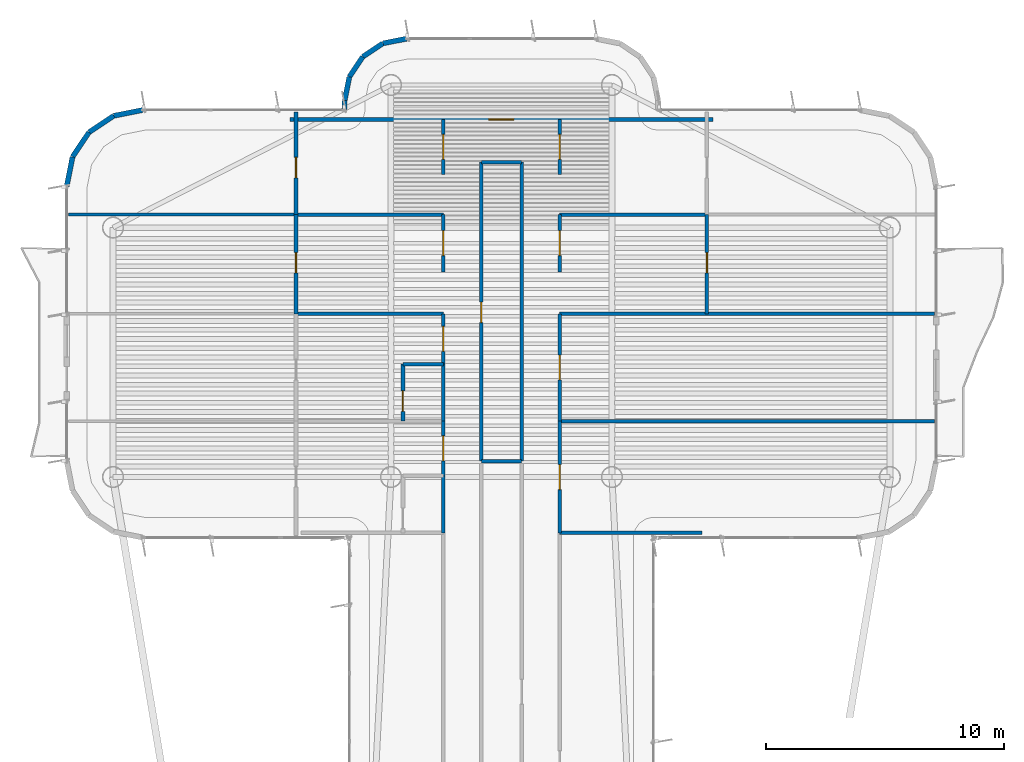
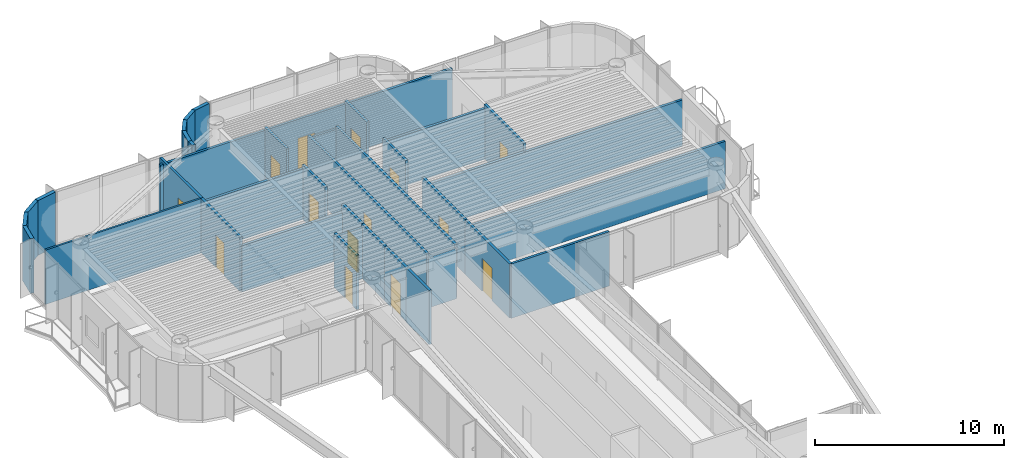
# One storey, part 12 of 15: 36 walls, 14 doors, 14 openings.
"""IFC4 building model written with IfcOpenShell, lengths in metres."""

from ifc_helpers import new_model, si_unit, direction, frame, frame_2d, origin, origin_2d, place, context, subcontext, project, spatial, rectangle, extrude, source, transform, mapped, material, layer, layer_set, type_object, element, fill, save


model = new_model("IFC4")

# Units and contexts
model_context = context("Model", 3, precision=1e-05, world=origin(), true_north=direction((0.0, 1.0)))
body_context = subcontext(model_context, "Body", "Model", "MODEL_VIEW")
ifc_project = project(units=[si_unit("LENGTHUNIT", "METRE"), si_unit("AREAUNIT", "SQUARE_METRE"), si_unit("VOLUMEUNIT", "CUBIC_METRE"), si_unit("PLANEANGLEUNIT", "RADIAN"), si_unit("MASSUNIT", "GRAM", prefix="KILO")], contexts=[model_context])

# Site, building, storey
site_placement = place(None, origin())
site = spatial("IfcSite", under=ifc_project, at=site_placement, CompositionType="ELEMENT")
building_placement = place(site_placement, origin())
building = spatial("IfcBuilding", under=site, at=building_placement, Name="Brelvock Crest Care Tower", CompositionType="ELEMENT")
storey_placement = place(building_placement, frame((0.0, 0.0, 264.60009765625)))
storey = spatial("IfcBuildingStorey", under=building, at=storey_placement, Name="L67", CompositionType="ELEMENT", Elevation=264.60009765625)

# Walls
ifc_material_1 = material(Name="Precast concrete N40 (40 MPa)", Category="concrete")
ifc_layer_1 = layer(ifc_material_1, 0.215087890625, Name="WL-EX2")
ifc_layer_set_1 = layer_set([ifc_layer_1], Name="Precast concrete N40 (40 MPa)")
wall_type_1 = type_object("IfcWallType", Name="WL-EX2", PredefinedType="SOLIDWALL", material=ifc_layer_set_1)
for number, where, z_axis, x_axis, name in (
    (1, (17.699951171875, 56.199951171875, 0.0), (0.0, 0.0, 1.0), (0.195138390419, 0.980775717779, 0.0), "L67 Rounded Corner Wall 18"),
    (2, (17.943603515625, 57.424560546875, 0.0), (0.0, 0.0, 1.0), (0.555557312883, 0.831478245117, 0.0), "L67 Rounded Corner Wall 19"),
    (3, (18.63720703125, 58.462646484375, 0.0), (0.0, 0.0, 1.0), (0.831387912822, 0.555692485475, 0.0), "L67 Rounded Corner Wall 20"),
    (4, (19.67529296875, 59.156494140625, 0.0), (0.0, 0.0, 1.0), (0.980813122964, 0.194950295773, 0.0), "L67 Rounded Corner Wall 21"),
):
    element("IfcWall", number, at=place(storey_placement, frame(where, z_axis=z_axis, x_axis=x_axis)), inside=storey, type_object=wall_type_1, Name=name, PredefinedType="SOLIDWALL", context=body_context, shape_type="SweptSolid", body=[
        extrude(rectangle(XDim=1.24853515625, YDim=0.215087890625, at=frame_2d((0.624267578125, 0.0))), origin(), (0.0, 0.0, 1.0), 3.52978515625),
    ])
wall_1_placement = place(storey_placement, frame((29.39990234375, 59.39990234375, 0.0), z_axis=(0.0, 0.0, 1.0), x_axis=(0.0, 1.0, 0.0)))
element("IfcWall", 5, at=wall_1_placement, inside=storey, type_object=wall_type_1, Name="L67 Rounded Corner Wall 23", PredefinedType="SOLIDWALL", context=body_context, shape_type="SweptSolid", body=[
    extrude(rectangle(XDim=0.400146484375, YDim=0.215087890625, at=frame_2d((0.2001953125, 0.0))), origin(), (0.0, 0.0, 1.0), 3.52978515625),
])
wall_2_placement = place(storey_placement, frame((29.39990234375, 59.800048828125, 0.0), z_axis=(0.0, 0.0, 1.0), x_axis=(0.195190360752, 0.980765376158, 0.0)))
element("IfcWall", 6, at=wall_2_placement, inside=storey, type_object=wall_type_1, Name="L67 Rounded Corner Wall 24", PredefinedType="SOLIDWALL", context=body_context, shape_type="SweptSolid", body=[
    extrude(rectangle(XDim=1.014404296875, YDim=0.215087890625, at=frame_2d((0.50732421875, 0.0))), origin(), (0.0, 0.0, 1.0), 3.52978515625),
])
wall_3_placement = place(storey_placement, frame((29.597900390625, 60.794921875, 0.0), z_axis=(0.0, 0.0, 1.0), x_axis=(0.555643898837, 0.831420385657, 0.0)))
element("IfcWall", 7, at=wall_3_placement, inside=storey, type_object=wall_type_1, Name="L67 Rounded Corner Wall 25", PredefinedType="SOLIDWALL", context=body_context, shape_type="SweptSolid", body=[
    extrude(rectangle(XDim=1.0146484375, YDim=0.215087890625, at=frame_2d((0.50732421875, 0.0))), origin(), (0.0, 0.0, 1.0), 3.52978515625),
])
wall_4_placement = place(storey_placement, frame((30.16162109375, 61.638427734375, 0.0), z_axis=(0.0, 0.0, 1.0), x_axis=(0.831346067305, 0.555755086685, 0.0)))
element("IfcWall", 8, at=wall_4_placement, inside=storey, type_object=wall_type_1, Name="L67 Rounded Corner Wall 26", PredefinedType="SOLIDWALL", context=body_context, shape_type="SweptSolid", body=[
    extrude(rectangle(XDim=1.014404296875, YDim=0.215087890625, at=frame_2d((0.50732421875, 0.0))), origin(), (0.0, 0.0, 1.0), 3.52978515625),
])
wall_5_placement = place(storey_placement, frame((31.0048828125, 62.2021484375, 0.0), z_axis=(0.0, 0.0, 1.0), x_axis=(0.980820570666, 0.194912821943, 0.0)))
element("IfcWall", 9, at=wall_5_placement, inside=storey, type_object=wall_type_1, Name="L67 Rounded Corner Wall 27", PredefinedType="SOLIDWALL", context=body_context, shape_type="SweptSolid", body=[
    extrude(rectangle(XDim=1.0146484375, YDim=0.215087890625, at=frame_2d((0.50732421875, 0.0))), origin(), (0.0, 0.0, 1.0), 3.52978515625),
])
ifc_material_2 = material(Name="Masonry Blockwork Acoustic Partition", Category="masonry")
ifc_layer_2 = layer(ifc_material_2, 0.14990234375, Name="WL-INT1")
ifc_layer_set_2 = layer_set([ifc_layer_2], Name="Masonry Blockwork Acoustic Partition")
wall_type_2 = type_object("IfcWallType", Name="WL-INT1", PredefinedType="PARTITIONING", material=ifc_layer_set_2)
wall_6_placement = place(storey_placement, frame((38.449951171875, 41.60009765625, 0.0), z_axis=(0.0, 0.0, 1.0), x_axis=(1.0, 0.0, 0.0)))
element("IfcWall", 10, at=wall_6_placement, inside=storey, type_object=wall_type_2, Name="L67 Interior Wall WL-BX-L67-ESW1-S", PredefinedType="PARTITIONING", context=body_context, shape_type="SweptSolid", body=[
    extrude(rectangle(XDim=5.993408203125, YDim=0.14990234375, at=frame_2d((2.99658203125, 0.0))), origin(), (0.0, 0.0, 1.0), 3.5),
])
wall_7_placement = place(storey_placement, frame((35.14990234375, 44.6201171875, 0.0), z_axis=(0.0, 0.0, 1.0), x_axis=(1.0, 0.0, 0.0)))
element("IfcWall", 11, at=wall_7_placement, inside=storey, type_object=wall_type_2, Name="L67 Interior Wall WL-BX-L67-ISKT-S", PredefinedType="PARTITIONING", context=body_context, shape_type="SweptSolid", body=[
    extrude(rectangle(XDim=1.7001953125, YDim=0.14990234375, at=frame_2d((0.85009765625, 0.0))), origin(), (0.0, 0.0, 1.0), 3.2587890625),
])
wall_8_placement = place(storey_placement, frame((38.449951171875, 46.298095703125, 0.0), z_axis=(0.0, 0.0, 1.0), x_axis=(1.0, 0.0, 0.0)))
element("IfcWall", 12, at=wall_8_placement, inside=storey, type_object=wall_type_2, Name="L67 Interior Wall WL-BX-L67-ESW1-N", PredefinedType="PARTITIONING", context=body_context, shape_type="SweptSolid", body=[
    extrude(rectangle(XDim=15.77001953125, YDim=0.14990234375, at=frame_2d((7.885009765625, 0.0))), origin(), (0.0, 0.0, 1.0), 3.054931640625),
])
wall_9_placement = place(storey_placement, frame((27.35009765625, 50.822021484375, 0.0), z_axis=(0.0, 0.0, 1.0), x_axis=(1.0, 0.0, 0.0)))
element("IfcWall", 13, at=wall_9_placement, inside=storey, type_object=wall_type_2, Name="L67 Interior Wall WL-BX-L67-CS-WS2-N", PredefinedType="PARTITIONING", context=body_context, shape_type="SweptSolid", body=[
    extrude(rectangle(XDim=6.199951171875, YDim=0.14990234375, at=frame_2d((3.10009765625, 0.0))), origin(), (0.0, 0.0, 1.0), 2.98193359375),
])
wall_10_placement = place(storey_placement, frame((38.449951171875, 50.822021484375, 0.0), z_axis=(0.0, 0.0, 1.0), x_axis=(1.0, 0.0, 0.0)))
element("IfcWall", 14, at=wall_10_placement, inside=storey, type_object=wall_type_2, Name="L67 Interior Wall WL-BX-L67-ESW2-N", PredefinedType="PARTITIONING", context=body_context, shape_type="SweptSolid", body=[
    extrude(rectangle(XDim=15.77001953125, YDim=0.14990234375, at=frame_2d((7.885009765625, 0.0))), origin(), (0.0, 0.0, 1.0), 2.98193359375),
])
for number, where, z_axis, x_axis, name in (
    (15, (27.35009765625, 54.998046875, 0.0), (0.0, 0.0, 1.0), (1.0, 0.0, 0.0), "L67 Interior Wall WL-BX-L67-CS-WS3-N"),
    (16, (38.449951171875, 54.998046875, 0.0), (0.0, 0.0, 1.0), (1.0, 0.0, 0.0), "L67 Interior Wall WL-BX-L67-CS-ES3-N"),
):
    element("IfcWall", number, at=place(storey_placement, frame(where, z_axis=z_axis, x_axis=x_axis)), inside=storey, type_object=wall_type_2, Name=name, PredefinedType="PARTITIONING", context=body_context, shape_type="SweptSolid", body=[
        extrude(rectangle(XDim=6.199951171875, YDim=0.14990234375, at=frame_2d((3.10009765625, 0.0))), origin(), (0.0, 0.0, 1.0), 3.2587890625),
    ])
wall_11_placement = place(storey_placement, frame((35.14990234375, 57.199951171875, 0.0), z_axis=(0.0, 0.0, 1.0), x_axis=(1.0, 0.0, 0.0)))
element("IfcWall", 17, at=wall_11_placement, inside=storey, type_object=wall_type_2, Name="L67 Interior Wall WL-BX-L67-ISKT-N", PredefinedType="PARTITIONING", context=body_context, shape_type="SweptSolid", body=[
    extrude(rectangle(XDim=1.7001953125, YDim=0.14990234375, at=frame_2d((0.85009765625, 0.0))), origin(), (0.0, 0.0, 1.0), 3.307861328125),
])

# Wall, opening, door
wall_12_placement = place(storey_placement, frame((27.10009765625, 59.0, 0.0), z_axis=(0.0, 0.0, 1.0), x_axis=(1.0, 0.0, 0.0)))
wall_12 = element("IfcWall", 18, at=wall_12_placement, inside=storey, type_object=wall_type_2, Name="L67 Interior Wall WL-RM-L67-NHUB", PredefinedType="PARTITIONING", context=body_context, shape_type="SweptSolid", body=[
    extrude(rectangle(XDim=17.7998046875, YDim=0.14990234375, at=frame_2d((8.89990234375, 0.0))), origin(), (0.0, 0.0, 1.0), 3.307861328125),
])
opening_1_placement = place(wall_12_placement, frame((8.375, 0.0, 0.0)))
opening_1 = element("IfcOpeningElement", 19, at=opening_1_placement, cuts=wall_12, Name="Opening CLD-1", PredefinedType="OPENING", context=body_context, shape_type="SweptSolid", body=[
    extrude(rectangle(XDim=1.050048828125, YDim=2.10009765625, at=origin_2d()), frame((0.52490234375, 0.0849609375, 1.050048828125), z_axis=(0.0, -1.0, 0.0), x_axis=(1.0, 0.0, 0.0)), (0.0, 0.0, 1.0), 0.169921875),
])
ifc_material_3 = material(Name="Engineered Hardwood Timber", Category="wood")
door_type_1 = type_object("IfcDoorType", Name="DR-CLN1", OperationType="NOTDEFINED", PredefinedType="DOOR", material=ifc_material_3)
shared_shape_1 = source(origin(), body_context, "Body", "SweptSolid", [
    extrude(rectangle(XDim=1.050048828125, YDim=2.10009765625, at=origin_2d()), frame((0.52490234375, 0.02490234375, 1.050048828125), z_axis=(0.0, -1.0, 0.0), x_axis=(1.0, 0.0, 0.0)), (0.0, 0.0, 1.0), 0.050048828125),
])
door_1_placement = place(opening_1_placement, origin())
door_1 = element("IfcDoor", 20, at=door_1_placement, inside=storey, type_object=door_type_1, Name="L67 North Crest Conservatory Lounge Door NHUB", OperationType="SINGLE_SWING_LEFT", OverallHeight=2.10009765625, OverallWidth=1.050048828125, PredefinedType="DOOR", context=body_context, shape_type="MappedRepresentation", body=[
    mapped(shared_shape_1, transform((0.0, 0.0, 0.0), x_axis=(1.0, 0.0, 0.0), y_axis=(0.0, 1.0, 0.0), z_axis=(0.0, 0.0, 1.0), scale=1.0)),
])
fill(opening_1, door_1)

wall_13_placement = place(storey_placement, frame((27.35009765625, 50.822021484375, 0.0), z_axis=(0.0, 0.0, 1.0), x_axis=(0.0, 1.0, 0.0)))
wall_13 = element("IfcWall", 21, at=wall_13_placement, inside=storey, type_object=wall_type_2, Name="L67 Interior Wall WL-RM-L67-WS3S", PredefinedType="PARTITIONING", context=body_context, shape_type="SweptSolid", body=[
    extrude(rectangle(XDim=4.176025390625, YDim=0.14990234375, at=frame_2d((2.087890625, 0.0))), origin(), (0.0, 0.0, 1.0), 3.5),
])
opening_2_placement = place(wall_13_placement, frame((1.718017578125, 0.0, 0.0)))
opening_2 = element("IfcOpeningElement", 22, at=opening_2_placement, cuts=wall_13, Name="Opening ID-1", PredefinedType="OPENING", context=body_context, shape_type="SweptSolid", body=[
    extrude(rectangle(XDim=0.860107421875, YDim=2.10009765625, at=origin_2d()), frame((0.43017578125, 0.0849609375, 1.050048828125), z_axis=(0.0, -1.0, 0.0), x_axis=(1.0, 0.0, 0.0)), (0.0, 0.0, 1.0), 0.169921875),
])
door_type_2 = type_object("IfcDoorType", Name="DR-INT1", OperationType="NOTDEFINED", PredefinedType="DOOR", material=ifc_material_3)
shared_shape_2 = source(origin(), body_context, "Body", "SweptSolid", [
    extrude(rectangle(XDim=0.860107421875, YDim=2.10009765625, at=origin_2d()), frame((0.43017578125, 0.02490234375, 1.050048828125), z_axis=(0.0, -1.0, 0.0), x_axis=(1.0, 0.0, 0.0)), (0.0, 0.0, 1.0), 0.050048828125),
])
door_2_placement = place(opening_2_placement, origin())
door_2 = element("IfcDoor", 23, at=door_2_placement, inside=storey, type_object=door_type_2, Name="L67 Skilled Nursing Mobility Store Door WS3S", OperationType="SINGLE_SWING_LEFT", OverallHeight=2.10009765625, OverallWidth=0.860107421875, PredefinedType="DOOR", context=body_context, shape_type="MappedRepresentation", body=[
    mapped(shared_shape_2, transform((0.0, 0.0, 0.0), x_axis=(1.0, 0.0, 0.0), y_axis=(0.0, 1.0, 0.0), z_axis=(0.0, 0.0, 1.0), scale=1.0)),
])
fill(opening_2, door_2)

wall_14_placement = place(storey_placement, frame((27.35009765625, 54.998046875, 0.0), z_axis=(0.0, 0.0, 1.0), x_axis=(0.0, 1.0, 0.0)))
wall_14 = element("IfcWall", 24, at=wall_14_placement, inside=storey, type_object=wall_type_2, Name="L67 Interior Wall WL-RM-L67-WS4S", PredefinedType="PARTITIONING", context=body_context, shape_type="SweptSolid", body=[
    extrude(rectangle(XDim=4.324462890625, YDim=0.14990234375, at=frame_2d((2.162109375, 0.0))), origin(), (0.0, 0.0, 1.0), 3.5),
])
opening_3_placement = place(wall_14_placement, frame((1.5419921875, 0.0, 0.0)))
opening_3 = element("IfcOpeningElement", 25, at=opening_3_placement, cuts=wall_14, Name="Opening ID-1", PredefinedType="OPENING", context=body_context, shape_type="SweptSolid", body=[
    extrude(rectangle(XDim=0.860107421875, YDim=2.10009765625, at=origin_2d()), frame((0.43017578125, 0.0849609375, 1.050048828125), z_axis=(0.0, -1.0, 0.0), x_axis=(1.0, 0.0, 0.0)), (0.0, 0.0, 1.0), 0.169921875),
])
door_3_placement = place(opening_3_placement, origin())
door_3 = element("IfcDoor", 26, at=door_3_placement, inside=storey, type_object=door_type_2, Name="L67 Skilled Nursing Mobility Store Door WS4S", OperationType="SINGLE_SWING_LEFT", OverallHeight=2.10009765625, OverallWidth=0.860107421875, PredefinedType="DOOR", context=body_context, shape_type="MappedRepresentation", body=[
    mapped(shared_shape_2, transform((0.0, 0.0, 0.0), x_axis=(1.0, 0.0, 0.0), y_axis=(0.0, 1.0, 0.0), z_axis=(0.0, 0.0, 1.0), scale=1.0)),
])
fill(opening_3, door_3)

wall_15_placement = place(storey_placement, frame((33.550048828125, 44.0, 0.0), z_axis=(0.0, 0.0, 1.0), x_axis=(0.0, 1.0, 0.0)))
wall_15 = element("IfcWall", 27, at=wall_15_placement, inside=storey, type_object=wall_type_2, Name="L67 Interior Wall WL-CENT-L67-WS1", PredefinedType="PARTITIONING", context=body_context, shape_type="SweptSolid", body=[
    extrude(rectangle(XDim=2.298095703125, YDim=0.14990234375, at=frame_2d((1.14892578125, 0.0))), origin(), (0.0, 0.0, 1.0), 3.5),
])
opening_4_placement = place(wall_15_placement, frame((0.62890625, 0.0, 0.0)))
opening_4 = element("IfcOpeningElement", 28, at=opening_4_placement, cuts=wall_15, Name="Opening CD-1", PredefinedType="OPENING", context=body_context, shape_type="SweptSolid", body=[
    extrude(rectangle(XDim=1.050048828125, YDim=2.10009765625, at=origin_2d()), frame((0.52490234375, 0.0849609375, 1.050048828125), z_axis=(0.0, -1.0, 0.0), x_axis=(1.0, 0.0, 0.0)), (0.0, 0.0, 1.0), 0.169921875),
])
door_type_3 = type_object("IfcDoorType", Name="DR-CARE1", OperationType="NOTDEFINED", PredefinedType="DOOR", material=ifc_material_3)
shared_shape_3 = source(origin(), body_context, "Body", "SweptSolid", [
    extrude(rectangle(XDim=1.050048828125, YDim=2.10009765625, at=origin_2d()), frame((0.52490234375, 0.02490234375, 1.050048828125), z_axis=(0.0, -1.0, 0.0), x_axis=(1.0, 0.0, 0.0)), (0.0, 0.0, 1.0), 0.050048828125),
])
door_4_placement = place(opening_4_placement, origin())
door_4 = element("IfcDoor", 29, at=door_4_placement, inside=storey, type_object=door_type_3, Name="L67 Care Suite Door WS1", OperationType="SINGLE_SWING_LEFT", OverallHeight=2.10009765625, OverallWidth=1.050048828125, PredefinedType="DOOR", context=body_context, shape_type="MappedRepresentation", body=[
    mapped(shared_shape_3, transform((0.0, 0.0, 0.0), x_axis=(1.0, 0.0, 0.0), y_axis=(0.0, 1.0, 0.0), z_axis=(0.0, 0.0, 1.0), scale=1.0)),
])
fill(opening_4, door_4)

wall_16_placement = place(storey_placement, frame((33.550048828125, 48.697998046875, 0.0), z_axis=(0.0, 0.0, 1.0), x_axis=(0.0, 1.0, 0.0)))
wall_16 = element("IfcWall", 30, at=wall_16_placement, inside=storey, type_object=wall_type_2, Name="L67 Interior Wall WL-CENT-L67-WS2", PredefinedType="PARTITIONING", context=body_context, shape_type="SweptSolid", body=[
    extrude(rectangle(XDim=2.1240234375, YDim=0.14990234375, at=frame_2d((1.06201171875, 0.0))), origin(), (0.0, 0.0, 1.0), 3.5),
])
opening_5_placement = place(wall_16_placement, frame((0.5419921875, 0.0, 0.0)))
opening_5 = element("IfcOpeningElement", 31, at=opening_5_placement, cuts=wall_16, Name="Opening CD-1", PredefinedType="OPENING", context=body_context, shape_type="SweptSolid", body=[
    extrude(rectangle(XDim=1.050048828125, YDim=2.10009765625, at=origin_2d()), frame((0.52490234375, 0.0849609375, 1.050048828125), z_axis=(0.0, -1.0, 0.0), x_axis=(1.0, 0.0, 0.0)), (0.0, 0.0, 1.0), 0.169921875),
])
door_5_placement = place(opening_5_placement, origin())
door_5 = element("IfcDoor", 32, at=door_5_placement, inside=storey, type_object=door_type_3, Name="L67 Care Suite Door WS2", OperationType="SINGLE_SWING_LEFT", OverallHeight=2.10009765625, OverallWidth=1.050048828125, PredefinedType="DOOR", context=body_context, shape_type="MappedRepresentation", body=[
    mapped(shared_shape_3, transform((0.0, 0.0, 0.0), x_axis=(1.0, 0.0, 0.0), y_axis=(0.0, 1.0, 0.0), z_axis=(0.0, 0.0, 1.0), scale=1.0)),
])
fill(opening_5, door_5)

wall_17_placement = place(storey_placement, frame((33.550048828125, 52.575927734375, 0.0), z_axis=(0.0, 0.0, 1.0), x_axis=(0.0, 1.0, 0.0)))
wall_17 = element("IfcWall", 33, at=wall_17_placement, inside=storey, type_object=wall_type_2, Name="L67 Interior Wall WL-CENT-L67-WS3", PredefinedType="PARTITIONING", context=body_context, shape_type="SweptSolid", body=[
    extrude(rectangle(XDim=2.422119140625, YDim=0.14990234375, at=frame_2d((1.2109375, 0.0))), origin(), (0.0, 0.0, 1.0), 3.5),
])
opening_6_placement = place(wall_17_placement, frame((0.69091796875, 0.0, 0.0)))
opening_6 = element("IfcOpeningElement", 34, at=opening_6_placement, cuts=wall_17, Name="Opening CD-1", PredefinedType="OPENING", context=body_context, shape_type="SweptSolid", body=[
    extrude(rectangle(XDim=1.050048828125, YDim=2.10009765625, at=origin_2d()), frame((0.52490234375, 0.0849609375, 1.050048828125), z_axis=(0.0, -1.0, 0.0), x_axis=(1.0, 0.0, 0.0)), (0.0, 0.0, 1.0), 0.169921875),
])
door_6_placement = place(opening_6_placement, origin())
door_6 = element("IfcDoor", 35, at=door_6_placement, inside=storey, type_object=door_type_3, Name="L67 Care Suite Door WS3", OperationType="SINGLE_SWING_LEFT", OverallHeight=2.10009765625, OverallWidth=1.050048828125, PredefinedType="DOOR", context=body_context, shape_type="MappedRepresentation", body=[
    mapped(shared_shape_3, transform((0.0, 0.0, 0.0), x_axis=(1.0, 0.0, 0.0), y_axis=(0.0, 1.0, 0.0), z_axis=(0.0, 0.0, 1.0), scale=1.0)),
])
fill(opening_6, door_6)

wall_18_placement = place(storey_placement, frame((33.550048828125, 56.678955078125, 0.0), z_axis=(0.0, 0.0, 1.0), x_axis=(0.0, 1.0, 0.0)))
wall_18 = element("IfcWall", 36, at=wall_18_placement, inside=storey, type_object=wall_type_2, Name="L67 Interior Wall WL-CENT-L67-WS4", PredefinedType="PARTITIONING", context=body_context, shape_type="SweptSolid", body=[
    extrude(rectangle(XDim=2.321044921875, YDim=0.14990234375, at=frame_2d((1.16064453125, 0.0))), origin(), (0.0, 0.0, 1.0), 3.5),
])
opening_7_placement = place(wall_18_placement, frame((0.639892578125, 0.0, 0.0)))
opening_7 = element("IfcOpeningElement", 37, at=opening_7_placement, cuts=wall_18, Name="Opening CD-1", PredefinedType="OPENING", context=body_context, shape_type="SweptSolid", body=[
    extrude(rectangle(XDim=1.050048828125, YDim=2.10009765625, at=origin_2d()), frame((0.52490234375, 0.0849609375, 1.050048828125), z_axis=(0.0, -1.0, 0.0), x_axis=(1.0, 0.0, 0.0)), (0.0, 0.0, 1.0), 0.169921875),
])
door_7_placement = place(opening_7_placement, origin())
door_7 = element("IfcDoor", 38, at=door_7_placement, inside=storey, type_object=door_type_3, Name="L67 Care Suite Door WS4", OperationType="SINGLE_SWING_LEFT", OverallHeight=2.10009765625, OverallWidth=1.050048828125, PredefinedType="DOOR", context=body_context, shape_type="MappedRepresentation", body=[
    mapped(shared_shape_3, transform((0.0, 0.0, 0.0), x_axis=(1.0, 0.0, 0.0), y_axis=(0.0, 1.0, 0.0), z_axis=(0.0, 0.0, 1.0), scale=1.0)),
])
fill(opening_7, door_7)

wall_19_placement = place(storey_placement, frame((35.14990234375, 44.6201171875, 0.0), z_axis=(0.0, 0.0, 1.0), x_axis=(0.0, 1.0, 0.0)))
wall_19 = element("IfcWall", 39, at=wall_19_placement, inside=storey, type_object=wall_type_2, Name="L67 Interior Wall WL-RM-L67-ISKT", PredefinedType="PARTITIONING", context=body_context, shape_type="SweptSolid", body=[
    extrude(rectangle(XDim=12.579833984375, YDim=0.14990234375, at=frame_2d((6.2900390625, 0.0))), origin(), (0.0, 0.0, 1.0), 3.5),
])
opening_8_placement = place(wall_19_placement, frame((5.830078125, 0.0, 0.0)))
opening_8 = element("IfcOpeningElement", 40, at=opening_8_placement, cuts=wall_19, Name="Opening ID-1", PredefinedType="OPENING", context=body_context, shape_type="SweptSolid", body=[
    extrude(rectangle(XDim=0.860107421875, YDim=2.10009765625, at=origin_2d()), frame((0.43017578125, 0.0849609375, 1.050048828125), z_axis=(0.0, -1.0, 0.0), x_axis=(1.0, 0.0, 0.0)), (0.0, 0.0, 1.0), 0.169921875),
])
door_8_placement = place(opening_8_placement, origin())
door_8 = element("IfcDoor", 41, at=door_8_placement, inside=storey, type_object=door_type_2, Name="L67 Communal Tea and Nutrition Pantry Door ISKT", OperationType="SINGLE_SWING_LEFT", OverallHeight=2.10009765625, OverallWidth=0.860107421875, PredefinedType="DOOR", context=body_context, shape_type="MappedRepresentation", body=[
    mapped(shared_shape_2, transform((0.0, 0.0, 0.0), x_axis=(1.0, 0.0, 0.0), y_axis=(0.0, 1.0, 0.0), z_axis=(0.0, 0.0, 1.0), scale=1.0)),
])
fill(opening_8, door_8)

# Wall
wall_20_placement = place(storey_placement, frame((36.85009765625, 44.6201171875, 0.0), z_axis=(0.0, 0.0, 1.0), x_axis=(0.0, 1.0, 0.0)))
element("IfcWall", 42, at=wall_20_placement, inside=storey, type_object=wall_type_2, Name="L67 Interior Wall WL-BX-L67-ISKT-E", PredefinedType="PARTITIONING", context=body_context, shape_type="SweptSolid", body=[
    extrude(rectangle(XDim=12.579833984375, YDim=0.14990234375, at=frame_2d((6.2900390625, 0.0))), origin(), (0.0, 0.0, 1.0), 3.5),
])

# Wall, opening, door
wall_21_placement = place(storey_placement, frame((38.449951171875, 41.60009765625, 0.0), z_axis=(0.0, 0.0, 1.0), x_axis=(0.0, 1.0, 0.0)))
wall_21 = element("IfcWall", 43, at=wall_21_placement, inside=storey, type_object=wall_type_2, Name="L67 Interior Wall WL-RM-L67-ESW1", PredefinedType="PARTITIONING", context=body_context, shape_type="SweptSolid", body=[
    extrude(rectangle(XDim=4.697998046875, YDim=0.14990234375, at=frame_2d((2.34912109375, 0.0))), origin(), (0.0, 0.0, 1.0), 3.5),
])
opening_9_placement = place(wall_21_placement, frame((1.823974609375, 0.0, 0.0)))
opening_9 = element("IfcOpeningElement", 44, at=opening_9_placement, cuts=wall_21, Name="Opening CD-1", PredefinedType="OPENING", context=body_context, shape_type="SweptSolid", body=[
    extrude(rectangle(XDim=1.050048828125, YDim=2.10009765625, at=origin_2d()), frame((0.52490234375, 0.0849609375, 1.050048828125), z_axis=(0.0, -1.0, 0.0), x_axis=(1.0, 0.0, 0.0)), (0.0, 0.0, 1.0), 0.169921875),
])
door_9_placement = place(opening_9_placement, origin())
door_9 = element("IfcDoor", 45, at=door_9_placement, inside=storey, type_object=door_type_3, Name="L67 Skilled Nursing Telemetry Ward Door ESW1", OperationType="SINGLE_SWING_LEFT", OverallHeight=2.10009765625, OverallWidth=1.050048828125, PredefinedType="DOOR", context=body_context, shape_type="MappedRepresentation", body=[
    mapped(shared_shape_3, transform((0.0, 0.0, 0.0), x_axis=(1.0, 0.0, 0.0), y_axis=(0.0, 1.0, 0.0), z_axis=(0.0, 0.0, 1.0), scale=1.0)),
])
fill(opening_9, door_9)

wall_22_placement = place(storey_placement, frame((38.449951171875, 46.298095703125, 0.0), z_axis=(0.0, 0.0, 1.0), x_axis=(0.0, 1.0, 0.0)))
wall_22 = element("IfcWall", 46, at=wall_22_placement, inside=storey, type_object=wall_type_2, Name="L67 Interior Wall WL-RM-L67-ESW2", PredefinedType="PARTITIONING", context=body_context, shape_type="SweptSolid", body=[
    extrude(rectangle(XDim=4.52392578125, YDim=0.14990234375, at=frame_2d((2.261962890625, 0.0))), origin(), (0.0, 0.0, 1.0), 3.5),
])
opening_10_placement = place(wall_22_placement, frame((1.737060546875, 0.0, 0.0)))
opening_10 = element("IfcOpeningElement", 47, at=opening_10_placement, cuts=wall_22, Name="Opening CD-1", PredefinedType="OPENING", context=body_context, shape_type="SweptSolid", body=[
    extrude(rectangle(XDim=1.050048828125, YDim=2.10009765625, at=origin_2d()), frame((0.52490234375, 0.0849609375, 1.050048828125), z_axis=(0.0, -1.0, 0.0), x_axis=(1.0, 0.0, 0.0)), (0.0, 0.0, 1.0), 0.169921875),
])
door_10_placement = place(opening_10_placement, origin())
door_10 = element("IfcDoor", 48, at=door_10_placement, inside=storey, type_object=door_type_3, Name="L67 Sub-Acute Geriatric Therapy Clinic Door ESW2", OperationType="SINGLE_SWING_LEFT", OverallHeight=2.10009765625, OverallWidth=1.050048828125, PredefinedType="DOOR", context=body_context, shape_type="MappedRepresentation", body=[
    mapped(shared_shape_3, transform((0.0, 0.0, 0.0), x_axis=(1.0, 0.0, 0.0), y_axis=(0.0, 1.0, 0.0), z_axis=(0.0, 0.0, 1.0), scale=1.0)),
])
fill(opening_10, door_10)

wall_23_placement = place(storey_placement, frame((38.449951171875, 52.575927734375, 0.0), z_axis=(0.0, 0.0, 1.0), x_axis=(0.0, 1.0, 0.0)))
wall_23 = element("IfcWall", 49, at=wall_23_placement, inside=storey, type_object=wall_type_2, Name="L67 Interior Wall WL-CENT-L67-ES3", PredefinedType="PARTITIONING", context=body_context, shape_type="SweptSolid", body=[
    extrude(rectangle(XDim=2.422119140625, YDim=0.14990234375, at=frame_2d((1.2109375, 0.0))), origin(), (0.0, 0.0, 1.0), 3.5),
])
opening_11_placement = place(wall_23_placement, frame((0.69091796875, 0.0, 0.0)))
opening_11 = element("IfcOpeningElement", 50, at=opening_11_placement, cuts=wall_23, Name="Opening CD-1", PredefinedType="OPENING", context=body_context, shape_type="SweptSolid", body=[
    extrude(rectangle(XDim=1.050048828125, YDim=2.10009765625, at=origin_2d()), frame((0.52490234375, 0.0849609375, 1.050048828125), z_axis=(0.0, -1.0, 0.0), x_axis=(1.0, 0.0, 0.0)), (0.0, 0.0, 1.0), 0.169921875),
])
door_11_placement = place(opening_11_placement, origin())
door_11 = element("IfcDoor", 51, at=door_11_placement, inside=storey, type_object=door_type_3, Name="L67 Care Suite Door ES3", OperationType="SINGLE_SWING_LEFT", OverallHeight=2.10009765625, OverallWidth=1.050048828125, PredefinedType="DOOR", context=body_context, shape_type="MappedRepresentation", body=[
    mapped(shared_shape_3, transform((0.0, 0.0, 0.0), x_axis=(1.0, 0.0, 0.0), y_axis=(0.0, 1.0, 0.0), z_axis=(0.0, 0.0, 1.0), scale=1.0)),
])
fill(opening_11, door_11)

wall_24_placement = place(storey_placement, frame((38.449951171875, 56.678955078125, 0.0), z_axis=(0.0, 0.0, 1.0), x_axis=(0.0, 1.0, 0.0)))
wall_24 = element("IfcWall", 52, at=wall_24_placement, inside=storey, type_object=wall_type_2, Name="L67 Interior Wall WL-CENT-L67-ES4", PredefinedType="PARTITIONING", context=body_context, shape_type="SweptSolid", body=[
    extrude(rectangle(XDim=2.321044921875, YDim=0.14990234375, at=frame_2d((1.16064453125, 0.0))), origin(), (0.0, 0.0, 1.0), 3.5),
])
opening_12_placement = place(wall_24_placement, frame((0.639892578125, 0.0, 0.0)))
opening_12 = element("IfcOpeningElement", 53, at=opening_12_placement, cuts=wall_24, Name="Opening CD-1", PredefinedType="OPENING", context=body_context, shape_type="SweptSolid", body=[
    extrude(rectangle(XDim=1.050048828125, YDim=2.10009765625, at=origin_2d()), frame((0.52490234375, 0.0849609375, 1.050048828125), z_axis=(0.0, -1.0, 0.0), x_axis=(1.0, 0.0, 0.0)), (0.0, 0.0, 1.0), 0.169921875),
])
door_12_placement = place(opening_12_placement, origin())
door_12 = element("IfcDoor", 54, at=door_12_placement, inside=storey, type_object=door_type_3, Name="L67 Care Suite Door ES4", OperationType="SINGLE_SWING_LEFT", OverallHeight=2.10009765625, OverallWidth=1.050048828125, PredefinedType="DOOR", context=body_context, shape_type="MappedRepresentation", body=[
    mapped(shared_shape_3, transform((0.0, 0.0, 0.0), x_axis=(1.0, 0.0, 0.0), y_axis=(0.0, 1.0, 0.0), z_axis=(0.0, 0.0, 1.0), scale=1.0)),
])
fill(opening_12, door_12)

wall_25_placement = place(storey_placement, frame((44.64990234375, 50.822021484375, 0.0), z_axis=(0.0, 0.0, 1.0), x_axis=(0.0, 1.0, 0.0)))
wall_25 = element("IfcWall", 55, at=wall_25_placement, inside=storey, type_object=wall_type_2, Name="L67 Interior Wall WL-RM-L67-ES3S", PredefinedType="PARTITIONING", context=body_context, shape_type="SweptSolid", body=[
    extrude(rectangle(XDim=4.176025390625, YDim=0.14990234375, at=frame_2d((2.087890625, 0.0))), origin(), (0.0, 0.0, 1.0), 3.5),
])
opening_13_placement = place(wall_25_placement, frame((1.718017578125, 0.0, 0.0)))
opening_13 = element("IfcOpeningElement", 56, at=opening_13_placement, cuts=wall_25, Name="Opening ID-1", PredefinedType="OPENING", context=body_context, shape_type="SweptSolid", body=[
    extrude(rectangle(XDim=0.860107421875, YDim=2.10009765625, at=origin_2d()), frame((0.43017578125, 0.0849609375, 1.050048828125), z_axis=(0.0, -1.0, 0.0), x_axis=(1.0, 0.0, 0.0)), (0.0, 0.0, 1.0), 0.169921875),
])
door_13_placement = place(opening_13_placement, origin())
door_13 = element("IfcDoor", 57, at=door_13_placement, inside=storey, type_object=door_type_2, Name="L67 Skilled Nursing Mobility Store Door ES3S", OperationType="SINGLE_SWING_LEFT", OverallHeight=2.10009765625, OverallWidth=0.860107421875, PredefinedType="DOOR", context=body_context, shape_type="MappedRepresentation", body=[
    mapped(shared_shape_2, transform((0.0, 0.0, 0.0), x_axis=(1.0, 0.0, 0.0), y_axis=(0.0, 1.0, 0.0), z_axis=(0.0, 0.0, 1.0), scale=1.0)),
])
fill(opening_13, door_13)

# Walls
ifc_material_4 = material(Name="Gypsum Plasterboard Partition", Category="gypsum")
ifc_layer_3 = layer(ifc_material_4, 0.1201171875, Name="WL-INT2")
ifc_layer_set_3 = layer_set([ifc_layer_3], Name="Gypsum Plasterboard Partition")
wall_type_3 = type_object("IfcWallType", Name="WL-INT2", PredefinedType="PARTITIONING", material=ifc_layer_set_3)
wall_26_placement = place(storey_placement, frame((17.780029296875, 54.998046875, 0.0), z_axis=(0.0, 0.0, 1.0), x_axis=(1.0, 0.0, 0.0)))
element("IfcWall", 58, at=wall_26_placement, inside=storey, type_object=wall_type_3, Name="L67 Interior Wall WL-BX-L67-WS3S-N", PredefinedType="PARTITIONING", context=body_context, shape_type="SweptSolid", body=[
    extrude(rectangle(XDim=9.570068359375, YDim=0.1201171875, at=frame_2d((4.78515625, 0.0))), origin(), (0.0, 0.0, 1.0), 3.5),
])
ifc_layer_4 = layer(ifc_material_4, 0.159912109375, Name="WL-PLM1")
ifc_layer_set_4 = layer_set([ifc_layer_4], Name="Gypsum Plasterboard Partition")
wall_type_4 = type_object("IfcWallType", Name="WL-PLM1", PredefinedType="PLUMBINGWALL", material=ifc_layer_set_4)
wall_27_placement = place(storey_placement, frame((31.85009765625, 48.697998046875, 0.0), z_axis=(0.0, 0.0, 1.0), x_axis=(1.0, 0.0, 0.0)))
element("IfcWall", 59, at=wall_27_placement, inside=storey, type_object=wall_type_4, Name="L67 Interior Wall WL-CENS2-L67-WS2", PredefinedType="PLUMBINGWALL", context=body_context, shape_type="SweptSolid", body=[
    extrude(rectangle(XDim=1.699951171875, YDim=0.159912109375, at=frame_2d((0.85009765625, 0.0))), origin(), (0.0, 0.0, 1.0), 3.2587890625),
])

# Wall, opening, door
wall_28_placement = place(storey_placement, frame((31.85009765625, 46.298095703125, 0.0), z_axis=(0.0, 0.0, 1.0), x_axis=(0.0, 1.0, 0.0)))
wall_28 = element("IfcWall", 60, at=wall_28_placement, inside=storey, type_object=wall_type_4, Name="L67 Interior Wall WL-CENS1-L67-WS2", PredefinedType="PLUMBINGWALL", context=body_context, shape_type="SweptSolid", body=[
    extrude(rectangle(XDim=2.39990234375, YDim=0.159912109375, at=frame_2d((1.199951171875, 0.0))), origin(), (0.0, 0.0, 1.0), 3.5),
])
opening_14_placement = place(wall_28_placement, frame((0.419921875, 0.0, 0.0)))
opening_14 = element("IfcOpeningElement", 61, at=opening_14_placement, cuts=wall_28, Name="Opening WD-1", PredefinedType="OPENING", context=body_context, shape_type="SweptSolid", body=[
    extrude(rectangle(XDim=0.860107421875, YDim=2.10009765625, at=origin_2d()), frame((0.43017578125, 0.08984375, 1.050048828125), z_axis=(0.0, -1.0, 0.0), x_axis=(1.0, 0.0, 0.0)), (0.0, 0.0, 1.0), 0.179931640625),
])
door_type_4 = type_object("IfcDoorType", Name="DR-WC1", OperationType="NOTDEFINED", PredefinedType="DOOR", material=ifc_material_3)
shared_shape_4 = source(origin(), body_context, "Body", "SweptSolid", [
    extrude(rectangle(XDim=0.860107421875, YDim=2.10009765625, at=origin_2d()), frame((0.43017578125, 0.02490234375, 1.050048828125), z_axis=(0.0, -1.0, 0.0), x_axis=(1.0, 0.0, 0.0)), (0.0, 0.0, 1.0), 0.050048828125),
])
door_14_placement = place(opening_14_placement, origin())
door_14 = element("IfcDoor", 62, at=door_14_placement, inside=storey, type_object=door_type_4, Name="L67 Care En-Suite Door WS2", OperationType="SINGLE_SWING_LEFT", OverallHeight=2.10009765625, OverallWidth=0.860107421875, PredefinedType="DOOR", context=body_context, shape_type="MappedRepresentation", body=[
    mapped(shared_shape_4, transform((0.0, 0.0, 0.0), x_axis=(1.0, 0.0, 0.0), y_axis=(0.0, 1.0, 0.0), z_axis=(0.0, 0.0, 1.0), scale=1.0)),
])
fill(opening_14, door_14)

# Walls
for number, where, z_axis, x_axis, name in (
    (63, (33.550048828125, 41.60009765625, 0.0), (0.0, 0.0, 1.0), (0.0, 1.0, 0.0), "L67 Interior Wall WL-CENS0-L67-WS1"),
    (64, (33.550048828125, 46.298095703125, 0.0), (0.0, 0.0, 1.0), (0.0, 1.0, 0.0), "L67 Interior Wall WL-CENS0-L67-WS2"),
):
    element("IfcWall", number, at=place(storey_placement, frame(where, z_axis=z_axis, x_axis=x_axis)), inside=storey, type_object=wall_type_4, Name=name, PredefinedType="PLUMBINGWALL", context=body_context, shape_type="SweptSolid", body=[
        extrude(rectangle(XDim=2.39990234375, YDim=0.159912109375, at=frame_2d((1.199951171875, 0.0))), origin(), (0.0, 0.0, 1.0), 3.5),
    ])

save(model, "model.ifc")
